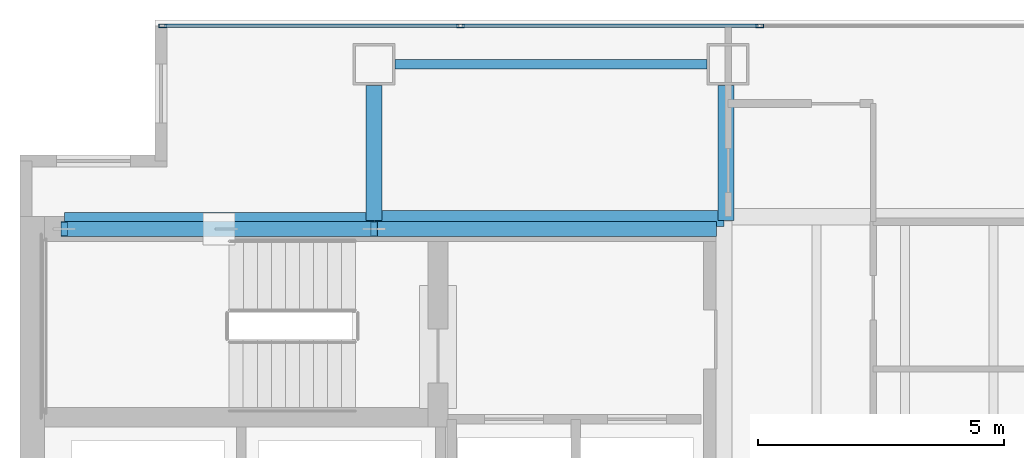
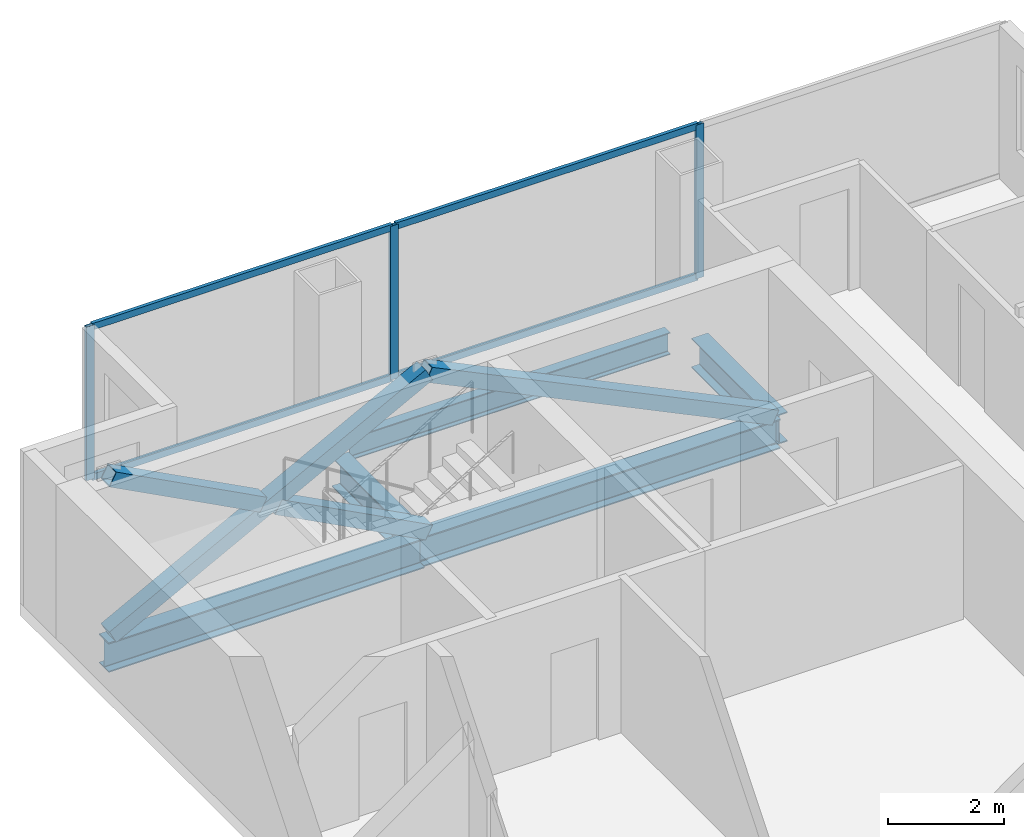
# One storey, part 17 of 23: 11 members, 5 beams, 1 element without a shape of its own.
"""IFC4 building model written with IfcOpenShell, lengths in metres."""

from ifc_helpers import new_model, si_unit, direction, frame, origin, origin_2d, place, context, subcontext, project, spatial, hollow_rectangle, i_section, extrude, material, material_profile, profile_set, type_object, element, aggregate, save


model = new_model("IFC4")

# Units and contexts
model_context = context("Model", 3, precision=1e-05, world=origin(), true_north=direction((0.0, 1.0)))
body_context = subcontext(model_context, "Body", "Model", "MODEL_VIEW")
ifc_project = project(units=[si_unit("LENGTHUNIT", "METRE"), si_unit("AREAUNIT", "SQUARE_METRE"), si_unit("VOLUMEUNIT", "CUBIC_METRE"), si_unit("PLANEANGLEUNIT", "RADIAN"), si_unit("MASSUNIT", "GRAM", prefix="KILO")], contexts=[model_context])

# Site, building, storey
site_placement = place(None, origin())
site = spatial("IfcSite", under=ifc_project, at=site_placement, CompositionType="ELEMENT")
building_placement = place(site_placement, origin())
building = spatial("IfcBuilding", under=site, at=building_placement, Name="Cobrela Telecom Tower", CompositionType="ELEMENT")
storey_placement = place(building_placement, frame((0.0, 0.0, 176.75)))
storey = spatial("IfcBuildingStorey", under=building, at=storey_placement, Name="L44", CompositionType="ELEMENT", Elevation=176.75)

# Beams
ifc_material_1 = material(Name="Steel ASTM A992 Grade 50", Category="steel")
ifc_material_profile_1 = material_profile(ifc_material_1, i_section(OverallWidth=0.327880859375, OverallDepth=0.6220703125, WebThickness=0.015380859375, FlangeThickness=0.0244140625, FilletRadius=0.014892578125, at=origin_2d()), Name="W24X131")
ifc_profile_set_1 = profile_set([ifc_material_profile_1], Name="Steel ASTM A992 Grade 50")
beam_type_1 = type_object("IfcBeamType", Name="BM-GIRD-06", PredefinedType="USERDEFINED", material=ifc_profile_set_1)
beam_1_placement = place(storey_placement, frame((0.905029296875, 35.919921875, -0.571044921875), z_axis=(1.0, 0.0, 0.0), x_axis=(0.0, 1.0, 0.0)))
element("IfcBeam", 1, at=beam_1_placement, inside=storey, type_object=beam_type_1, Name="L44 Primary Girder X20", ObjectType="GIRDER", PredefinedType="USERDEFINED", context=body_context, shape_type="SweptSolid", body=[
    extrude(i_section(OverallWidth=0.327880859375, OverallDepth=0.6220703125, WebThickness=0.015380859375, FlangeThickness=0.0244140625, FilletRadius=0.014892578125, at=origin_2d()), origin(), (0.0, 0.0, 1.0), 6.2900390625),
])
beam_2_placement = place(storey_placement, frame((7.205078125, 35.9599609375, -0.571044921875), z_axis=(1.0, 0.0, 0.0), x_axis=(0.0, 1.0, 0.0)))
element("IfcBeam", 2, at=beam_2_placement, inside=storey, type_object=beam_type_1, Name="L44 Primary Girder X21", ObjectType="GIRDER", PredefinedType="USERDEFINED", context=body_context, shape_type="SweptSolid", body=[
    extrude(i_section(OverallWidth=0.327880859375, OverallDepth=0.6220703125, WebThickness=0.015380859375, FlangeThickness=0.0244140625, FilletRadius=0.014892578125, at=origin_2d()), origin(), (0.0, 0.0, 1.0), 7.10986328125),
])
for number, where, z_axis, x_axis, name in (
    (3, (7.199951171875, 35.925048828125, -0.571044921875), (0.0, 1.0, 0.0), (-1.0, 0.0, 0.0), "L44 Primary Girder Y25"),
    (4, (14.360107421875, 35.925048828125, -0.571044921875), (0.0, 1.0, 0.0), (-1.0, 0.0, 0.0), "L44 Primary Girder Y31"),
):
    element("IfcBeam", number, at=place(storey_placement, frame(where, z_axis=z_axis, x_axis=x_axis)), inside=storey, type_object=beam_type_1, Name=name, ObjectType="GIRDER", PredefinedType="USERDEFINED", context=body_context, shape_type="SweptSolid", body=[
        extrude(i_section(OverallWidth=0.327880859375, OverallDepth=0.6220703125, WebThickness=0.015380859375, FlangeThickness=0.0244140625, FilletRadius=0.014892578125, at=origin_2d()), origin(), (0.0, 0.0, 1.0), 2.744873046875),
    ])
ifc_material_profile_2 = material_profile(ifc_material_1, i_section(OverallWidth=0.193115234375, OverallDepth=0.467041015625, WebThickness=0.011474609375, FlangeThickness=0.01904296875, FilletRadius=0.012939453125, at=origin_2d()), Name="W18X65")
ifc_profile_set_2 = profile_set([ifc_material_profile_2], Name="Steel ASTM A992 Grade 50")
beam_type_2 = type_object("IfcBeamType", Name="BM-SPAND-05", PredefinedType="SPANDREL", material=ifc_profile_set_2)
beam_3_placement = place(storey_placement, frame((7.6298828125, 39.10009765625, -0.493408203125), z_axis=(1.0, 0.0, 0.0), x_axis=(0.0, 1.0, 0.0)))
element("IfcBeam", 5, at=beam_3_placement, inside=storey, type_object=beam_type_2, Name="L44 Perimeter Spandrel X23", PredefinedType="SPANDREL", context=body_context, shape_type="SweptSolid", body=[
    extrude(i_section(OverallWidth=0.193115234375, OverallDepth=0.467041015625, WebThickness=0.011474609375, FlangeThickness=0.01904296875, FilletRadius=0.012939453125, at=origin_2d()), origin(), (0.0, 0.0, 1.0), 6.340087890625),
])

# Curtain wall, members
ifc_material_2 = material(Name="Anodized Bronze Aluminium 6063-T6", Category="aluminium")
curtain_wall_type = type_object("IfcCurtainWallType", Name="CW-SYS-OFF-LO", PredefinedType="USERDEFINED", material=ifc_material_2)
curtain_wall_placement = place(storey_placement, origin())
curtain_wall = element("IfcCurtainWall", 6, at=curtain_wall_placement, inside=storey, type_object=curtain_wall_type, Name="L44 Unitised Bronze Curtain Wall 07", ObjectType="UNITISED CURTAIN WALL", PredefinedType="USERDEFINED")
ifc_material_profile_3 = material_profile(ifc_material_2, hollow_rectangle(XDim=0.070068359375, YDim=0.159912109375, WallThickness=0.00390625, at=origin_2d()), Name="ALU 70x160x4")
ifc_profile_set_3 = profile_set([ifc_material_profile_3], Name="Anodized Bronze Aluminium 6063-T6")
member_type_1 = type_object("IfcMemberType", Name="CW-SYS-OFF-LO-MUL", PredefinedType="MULLION", material=ifc_profile_set_3)
member_1_placement = place(storey_placement, frame((2.905029296875, 39.8798828125, 0.0), z_axis=(0.0, 0.0, 1.0), x_axis=(0.0, 1.0, 0.0)))
member_1 = element("IfcMember", 7, at=member_1_placement, type_object=member_type_1, Name="CW-OFF-LO mullion 1", PredefinedType="MULLION", context=body_context, shape_type="SweptSolid", body=[
    extrude(hollow_rectangle(XDim=0.070068359375, YDim=0.159912109375, WallThickness=0.00390625, at=origin_2d()), origin(), (0.0, 0.0, 1.0), 3.239990234375),
])
member_2_placement = place(storey_placement, frame((8.956787109375, 39.8798828125, 0.0), z_axis=(0.0, 0.0, 1.0), x_axis=(0.0, 1.0, 0.0)))
member_2 = element("IfcMember", 8, at=member_2_placement, type_object=member_type_1, Name="CW-OFF-LO mullion 2", PredefinedType="MULLION", context=body_context, shape_type="SweptSolid", body=[
    extrude(hollow_rectangle(XDim=0.070068359375, YDim=0.159912109375, WallThickness=0.00390625, at=origin_2d()), origin(), (0.0, 0.0, 1.0), 3.239990234375),
])
member_3_placement = place(storey_placement, frame((15.043212890625, 39.8798828125, 0.0), z_axis=(0.0, 0.0, 1.0), x_axis=(0.0, 1.0, 0.0)))
member_3 = element("IfcMember", 9, at=member_3_placement, type_object=member_type_1, Name="CW-OFF-LO mullion 3", PredefinedType="MULLION", context=body_context, shape_type="SweptSolid", body=[
    extrude(hollow_rectangle(XDim=0.070068359375, YDim=0.159912109375, WallThickness=0.00390625, at=origin_2d()), origin(), (0.0, 0.0, 1.0), 3.239990234375),
])
ifc_material_profile_4 = material_profile(ifc_material_2, hollow_rectangle(XDim=0.070068359375, YDim=0.139892578125, WallThickness=0.00390625, at=origin_2d()), Name="ALU 70x140x4")
ifc_profile_set_4 = profile_set([ifc_material_profile_4], Name="Anodized Bronze Aluminium 6063-T6")
member_type_2 = type_object("IfcMemberType", Name="CW-SYS-OFF-LO-TRN", PredefinedType="USERDEFINED", material=ifc_profile_set_4)
member_4_placement = place(storey_placement, frame((2.93994140625, 39.8798828125, 0.034912109375), z_axis=(1.0, 0.0, 0.0), x_axis=(0.0, 1.0, 0.0)))
member_4 = element("IfcMember", 10, at=member_4_placement, type_object=member_type_2, Name="CW-OFF-LO transom 1.1", ObjectType="TRANSOM", PredefinedType="USERDEFINED", context=body_context, shape_type="SweptSolid", body=[
    extrude(hollow_rectangle(XDim=0.070068359375, YDim=0.139892578125, WallThickness=0.00390625, at=origin_2d()), origin(), (0.0, 0.0, 1.0), 5.981689453125),
])
member_5_placement = place(storey_placement, frame((2.93994140625, 39.8798828125, 3.205078125), z_axis=(1.0, 0.0, 0.0), x_axis=(0.0, 1.0, 0.0)))
member_5 = element("IfcMember", 11, at=member_5_placement, type_object=member_type_2, Name="CW-OFF-LO transom 1.2", ObjectType="TRANSOM", PredefinedType="USERDEFINED", context=body_context, shape_type="SweptSolid", body=[
    extrude(hollow_rectangle(XDim=0.070068359375, YDim=0.139892578125, WallThickness=0.00390625, at=origin_2d()), origin(), (0.0, 0.0, 1.0), 5.981689453125),
])
member_6_placement = place(storey_placement, frame((8.99169921875, 39.8798828125, 0.034912109375), z_axis=(1.0, 0.0, 0.0), x_axis=(0.0, 1.0, 0.0)))
member_6 = element("IfcMember", 12, at=member_6_placement, type_object=member_type_2, Name="CW-OFF-LO transom 2.1", ObjectType="TRANSOM", PredefinedType="USERDEFINED", context=body_context, shape_type="SweptSolid", body=[
    extrude(hollow_rectangle(XDim=0.070068359375, YDim=0.139892578125, WallThickness=0.00390625, at=origin_2d()), origin(), (0.0, 0.0, 1.0), 6.0166015625),
])
member_7_placement = place(storey_placement, frame((8.99169921875, 39.8798828125, 3.205078125), z_axis=(1.0, 0.0, 0.0), x_axis=(0.0, 1.0, 0.0)))
member_7 = element("IfcMember", 13, at=member_7_placement, type_object=member_type_2, Name="CW-OFF-LO transom 2.2", ObjectType="TRANSOM", PredefinedType="USERDEFINED", context=body_context, shape_type="SweptSolid", body=[
    extrude(hollow_rectangle(XDim=0.070068359375, YDim=0.139892578125, WallThickness=0.00390625, at=origin_2d()), origin(), (0.0, 0.0, 1.0), 6.0166015625),
])
aggregate(curtain_wall, [member_1, member_2, member_3, member_4, member_5, member_6, member_7])

# Members
ifc_material_3 = material(Name="Steel ASTM A572 Grade 50", Category="steel")
ifc_material_profile_5 = material_profile(ifc_material_3, hollow_rectangle(XDim=0.300048828125, YDim=0.300048828125, WallThickness=0.01611328125, at=origin_2d()), Name="HSS 300x300x16")
ifc_profile_set_5 = profile_set([ifc_material_profile_5], Name="Steel ASTM A572 Grade 50")
member_type_3 = type_object("IfcMemberType", Name="MBR-EXO-03", PredefinedType="BRACE", material=ifc_profile_set_5)
member_8_placement = place(storey_placement, frame((0.89990234375, 35.75, -0.0400390625), z_axis=(0.884671945606, 0.0, 0.466214058837), x_axis=(0.0, 1.0, 0.0)))
element("IfcMember", 14, at=member_8_placement, inside=storey, type_object=member_type_3, Name="L44 Core Flange Steel X-Brace Continuous A", PredefinedType="BRACE", context=body_context, shape_type="SweptSolid", body=[
    extrude(hollow_rectangle(XDim=0.300048828125, YDim=0.300048828125, WallThickness=0.01611328125, at=origin_2d()), origin(), (0.0, 0.0, 1.0), 7.121337890625),
])
for number, where, z_axis, x_axis, name in (
    (15, (7.199951171875, 35.75, -0.0400390625), (-0.884666782579, 0.0, 0.466223855891), (0.0, -1.0, 0.0), "L44 Core Flange Steel X-Brace Split B1"),
    (16, (3.9013671875, 35.75, 1.6982421875), (-0.884666782579, 0.0, 0.466223855891), (0.0, -1.0, 0.0), "L44 Core Flange Steel X-Brace Split B2"),
):
    element("IfcMember", number, at=place(storey_placement, frame(where, z_axis=z_axis, x_axis=x_axis)), inside=storey, type_object=member_type_3, Name=name, PredefinedType="BRACE", context=body_context, shape_type="SweptSolid", body=[
        extrude(hollow_rectangle(XDim=0.300048828125, YDim=0.300048828125, WallThickness=0.01611328125, at=origin_2d()), origin(), (0.0, 0.0, 1.0), 3.392822265625),
    ])
member_9_placement = place(storey_placement, frame((14.10009765625, 35.75, -0.0400390625), z_axis=(-0.901115182893, 0.0, 0.43357978177), x_axis=(0.0, -1.0, 0.0)))
element("IfcMember", 17, at=member_9_placement, inside=storey, type_object=member_type_3, Name="L44 Core Flange Steel Brace N2", PredefinedType="BRACE", context=body_context, shape_type="SweptSolid", body=[
    extrude(hollow_rectangle(XDim=0.300048828125, YDim=0.300048828125, WallThickness=0.01611328125, at=origin_2d()), origin(), (0.0, 0.0, 1.0), 7.6572265625),
])

save(model, "model.ifc")
